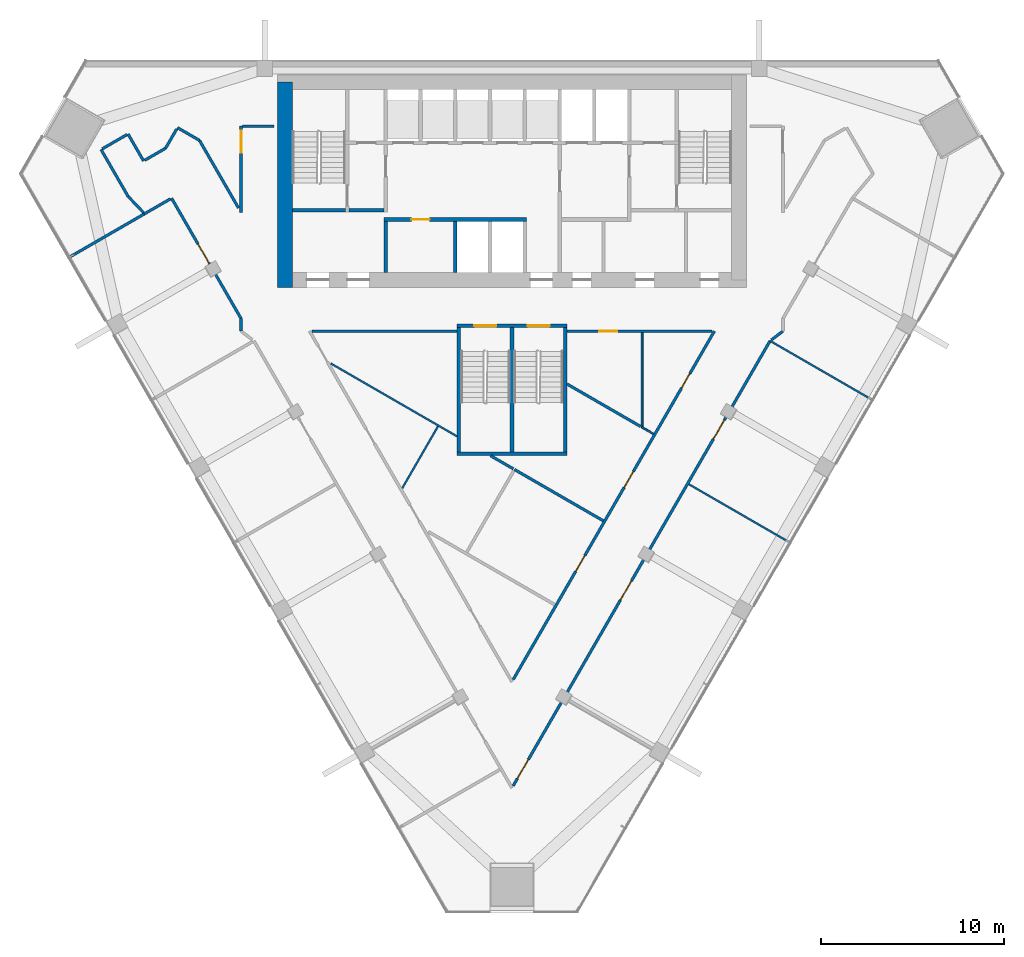
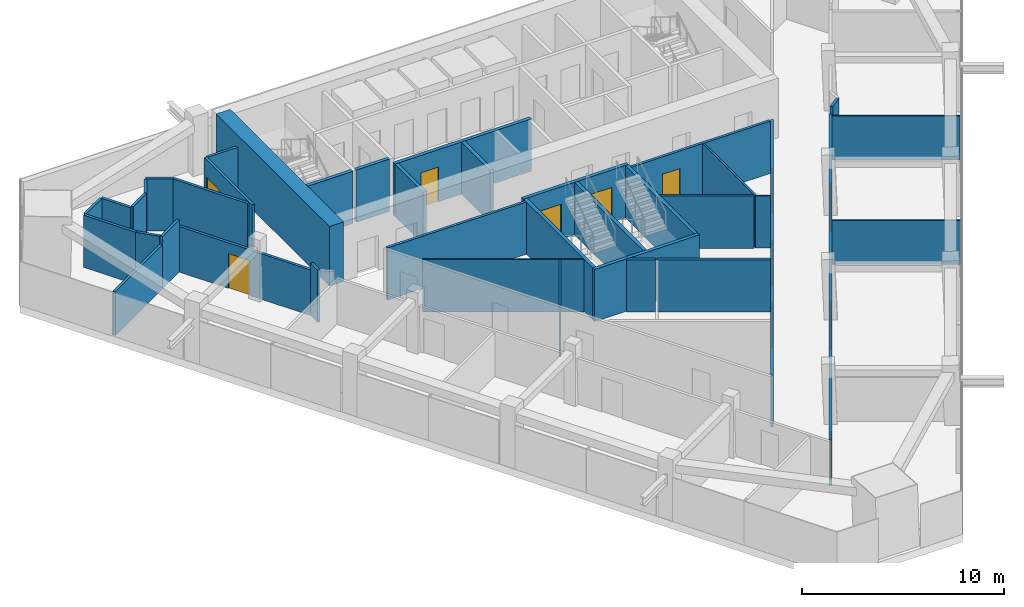
# One storey, part 9 of 13: 39 walls, 12 doors, 12 openings.
"""IFC4 building model written with IfcOpenShell, lengths in metres."""

from ifc_helpers import new_model, si_unit, direction, frame, frame_2d, origin, place, context, subcontext, project, spatial, rectangle, extrude, material, layer, layer_set, type_object, element, fill, save


model = new_model("IFC4")

# Units and contexts
model_context = context("Model", 3, precision=1e-05, world=origin(), true_north=direction((0.0, 1.0)))
body_context = subcontext(model_context, "Body", "Model", "MODEL_VIEW")
ifc_project = project(units=[si_unit("LENGTHUNIT", "METRE"), si_unit("AREAUNIT", "SQUARE_METRE"), si_unit("VOLUMEUNIT", "CUBIC_METRE"), si_unit("PLANEANGLEUNIT", "RADIAN"), si_unit("MASSUNIT", "GRAM", prefix="KILO")], contexts=[model_context])

# Site, building, storey
site_placement = place(None, origin())
site = spatial("IfcSite", under=ifc_project, at=site_placement, CompositionType="ELEMENT")
building_placement = place(site_placement, origin())
building = spatial("IfcBuilding", under=site, at=building_placement, Name="Altiplano Prism Tower", CompositionType="ELEMENT")
storey_placement = place(building_placement, frame((0.0, 0.0, 160.199951171875)))
storey = spatial("IfcBuildingStorey", under=building, at=storey_placement, Name="L41", CompositionType="ELEMENT", Elevation=160.199951171875)

# Walls
ifc_material_1 = material(Name="Concrete C60/75", Category="concrete")
ifc_layer_1 = layer(ifc_material_1, 0.800048828125)
ifc_layer_set_1 = layer_set([ifc_layer_1], Name="Concrete C60/75")
wall_type_1 = type_object("IfcWallType", Name="Core wall 800", PredefinedType="SHEAR", material=ifc_layer_set_1)
wall_1_placement = place(storey_placement, frame((72.60009765625, 103.800048828125, 0.0), z_axis=(0.0, 0.0, 1.0), x_axis=(0.0, -1.0, 0.0)))
element("IfcWall", 1, at=wall_1_placement, inside=storey, type_object=wall_type_1, Name="Core wall W L41", PredefinedType="SHEAR", context=body_context, shape_type="SweptSolid", body=[
    extrude(rectangle(XDim=11.199951171875, YDim=0.800048828125, at=frame_2d((5.60009765625, 0.0))), origin(), (0.0, 0.0, 1.0), 3.60009765625),
])
ifc_material_2 = material(Name="Plasterboard on steel stud", Category="steel")
ifc_layer_2 = layer(ifc_material_2, 0.10009765625)
ifc_layer_set_2 = layer_set([ifc_layer_2], Name="Plasterboard on steel stud")
wall_type_2 = type_object("IfcWallType", Name="Partition 100 wet", PredefinedType="PARTITIONING", material=ifc_layer_set_2)
wall_2_placement = place(storey_placement, frame((92.1083984375, 90.125, 0.0), z_axis=(0.0, 0.0, 1.0), x_axis=(0.0, -1.0, 0.0)))
element("IfcWall", 2, at=wall_2_placement, inside=storey, type_object=wall_type_2, Name="Partition P03 L41 030", PredefinedType="PARTITIONING", context=body_context, shape_type="SweptSolid", body=[
    extrude(rectangle(XDim=5.179931640625, YDim=0.10009765625, at=frame_2d((2.58984375, 0.0))), origin(), (0.0, 0.0, 1.0), 3.150146484375),
])
wall_3_placement = place(storey_placement, frame((92.08837890625, 84.95654296875, 0.0), z_axis=(0.0, 0.0, 1.0), x_axis=(0.866036909293, -0.499980071345, 0.0)))
element("IfcWall", 3, at=wall_3_placement, inside=storey, type_object=wall_type_2, Name="Partition P03 L41 031", PredefinedType="PARTITIONING", context=body_context, shape_type="SweptSolid", body=[
    extrude(rectangle(XDim=0.73828125, YDim=0.10009765625, at=frame_2d((0.369140625, 0.0))), origin(), (0.0, 0.0, 1.0), 3.150146484375),
])
wall_4_placement = place(storey_placement, frame((79.0087890625, 81.629638671875, 0.0), z_axis=(0.0, 0.0, 1.0), x_axis=(0.500039254499, 0.866002739003, 0.0)))
element("IfcWall", 4, at=wall_4_placement, inside=storey, type_object=wall_type_2, Name="Partition P03 L41 032", PredefinedType="PARTITIONING", context=body_context, shape_type="SweptSolid", body=[
    extrude(rectangle(XDim=3.891357421875, YDim=0.10009765625, at=frame_2d((1.94580078125, 0.0))), origin(), (0.0, 0.0, 1.0), 3.150146484375),
])
wall_5_placement = place(storey_placement, frame((82.0, 84.45361328125, 0.0), z_axis=(0.0, 0.0, 1.0), x_axis=(-0.866017214255, 0.500014184414, 0.0)))
element("IfcWall", 5, at=wall_5_placement, inside=storey, type_object=wall_type_2, Name="Partition P03 L41 033", PredefinedType="PARTITIONING", context=body_context, shape_type="SweptSolid", body=[
    extrude(rectangle(XDim=7.968505859375, YDim=0.10009765625, at=frame_2d((3.984375, 0.0))), origin(), (0.0, 0.0, 1.0), 3.150146484375),
])
wall_6_placement = place(storey_placement, frame((100.140380859375, 78.67626953125, 0.0), z_axis=(0.0, 0.0, 1.0), x_axis=(-0.866042250622, 0.499970819286, 0.0)))
element("IfcWall", 6, at=wall_6_placement, inside=storey, type_object=wall_type_2, Name="Partition P03 L41 045", PredefinedType="PARTITIONING", context=body_context, shape_type="SweptSolid", body=[
    extrude(rectangle(XDim=6.3251953125, YDim=0.10009765625, at=frame_2d((3.16259765625, 0.0))), origin(), (0.0, 0.0, 1.0), 2.650146484375),
])
wall_7_placement = place(storey_placement, frame((104.640380859375, 86.470458984375, 0.0), z_axis=(0.0, 0.0, 1.0), x_axis=(-0.866035036182, 0.499983315828, 0.0)))
element("IfcWall", 7, at=wall_7_placement, inside=storey, type_object=wall_type_2, Name="Partition P03 L41 046", PredefinedType="PARTITIONING", context=body_context, shape_type="SweptSolid", body=[
    extrude(rectangle(XDim=6.400146484375, YDim=0.10009765625, at=frame_2d((3.2001953125, 0.0))), origin(), (0.0, 0.0, 1.0), 2.650146484375),
])

# Wall, openings, doors
ifc_layer_3 = layer(ifc_material_2, 0.14990234375)
ifc_layer_set_3 = layer_set([ifc_layer_3], Name="Plasterboard on steel stud")
wall_type_3 = type_object("IfcWallType", Name="Partition 150 corridor", PredefinedType="PARTITIONING", material=ifc_layer_set_3)
wall_8_placement = place(storey_placement, frame((96.054931640625, 90.199951171875, 0.0), z_axis=(0.0, 0.0, 1.0), x_axis=(-0.500001284673, -0.866024662077, 0.0)))
wall_8 = element("IfcWall", 8, at=wall_8_placement, inside=storey, type_object=wall_type_3, Name="Partition P06 L41 001", PredefinedType="PARTITIONING", context=body_context, shape_type="SweptSolid", body=[
    extrude(rectangle(XDim=21.97998046875, YDim=0.14990234375, at=frame_2d((10.989990234375, 0.0))), origin(), (0.0, 0.0, 1.0), 3.150146484375),
])
opening_1_placement = place(wall_8_placement, frame((2.68408203125, 0.0, 0.0)))
opening_1 = element("IfcOpeningElement", 9, at=opening_1_placement, cuts=wall_8, Name="Opening D1455", PredefinedType="OPENING", context=body_context, shape_type="SweptSolid", body=[
    extrude(rectangle(XDim=0.89990234375, YDim=2.10009765625, at=frame_2d((0.449951171875, 1.050048828125))), frame((0.0, 0.08544921875, 0.0), z_axis=(0.0, -1.0, 0.0), x_axis=(1.0, 0.0, 0.0)), (0.0, 0.0, 1.0), 0.1708984375),
])
opening_2_placement = place(wall_8_placement, frame((8.85302734375, 0.0, 0.0)))
opening_2 = element("IfcOpeningElement", 10, at=opening_2_placement, cuts=wall_8, Name="Opening D1460", PredefinedType="OPENING", context=body_context, shape_type="SweptSolid", body=[
    extrude(rectangle(XDim=1.0, YDim=2.10009765625, at=frame_2d((0.5, 1.050048828125))), frame((0.0, 0.08544921875, 0.0), z_axis=(0.0, -1.0, 0.0), x_axis=(1.0, 0.0, 0.0)), (0.0, 0.0, 1.0), 0.1708984375),
])
opening_3_placement = place(wall_8_placement, frame((14.152099609375, 0.0, 0.0)))
opening_3 = element("IfcOpeningElement", 11, at=opening_3_placement, cuts=wall_8, Name="Opening D1471", PredefinedType="OPENING", context=body_context, shape_type="SweptSolid", body=[
    extrude(rectangle(XDim=1.0, YDim=2.10009765625, at=frame_2d((0.5, 1.050048828125))), frame((0.0, 0.08544921875, 0.0), z_axis=(0.0, -1.0, 0.0), x_axis=(1.0, 0.0, 0.0)), (0.0, 0.0, 1.0), 0.1708984375),
])
ifc_material_3 = material(Name="Timber", Category="wood")
door_type_1 = type_object("IfcDoorType", Name="Room door 1000 x 2100", OperationType="NOTDEFINED", PredefinedType="NOTDEFINED", material=ifc_material_3)
door_1_placement = place(opening_3_placement, origin())
door_1 = element("IfcDoor", 12, at=door_1_placement, inside=storey, type_object=door_type_1, Name="Door D1471", OperationType="SINGLE_SWING_RIGHT", OverallHeight=2.10009765625, OverallWidth=1.0, PredefinedType="NOTDEFINED", context=body_context, shape_type="SweptSolid", body=[
    extrude(rectangle(XDim=1.0, YDim=2.10009765625, at=frame_2d((0.5, 1.050048828125))), frame((0.0, 0.02490234375, 0.0), z_axis=(0.0, -1.0, 0.0), x_axis=(1.0, 0.0, 0.0)), (0.0, 0.0, 1.0), 0.050048828125),
])
fill(opening_3, door_1)
door_type_2 = type_object("IfcDoorType", Name="Store door 1000 x 2100", OperationType="NOTDEFINED", PredefinedType="NOTDEFINED", material=ifc_material_3)
door_2_placement = place(opening_2_placement, origin())
door_2 = element("IfcDoor", 13, at=door_2_placement, inside=storey, type_object=door_type_2, Name="Door D1460", OperationType="SINGLE_SWING_LEFT", OverallHeight=2.10009765625, OverallWidth=1.0, PredefinedType="NOTDEFINED", context=body_context, shape_type="SweptSolid", body=[
    extrude(rectangle(XDim=1.0, YDim=2.10009765625, at=frame_2d((0.5, 1.050048828125))), frame((0.0, 0.02490234375, 0.0), z_axis=(0.0, -1.0, 0.0), x_axis=(1.0, 0.0, 0.0)), (0.0, 0.0, 1.0), 0.050048828125),
])
fill(opening_2, door_2)
door_type_3 = type_object("IfcDoorType", Name="Toilet door 900 x 2100", OperationType="NOTDEFINED", PredefinedType="NOTDEFINED", material=ifc_material_3)
door_3_placement = place(opening_1_placement, origin())
door_3 = element("IfcDoor", 14, at=door_3_placement, inside=storey, type_object=door_type_3, Name="Door D1455", OperationType="SINGLE_SWING_RIGHT", OverallHeight=2.10009765625, OverallWidth=0.89990234375, PredefinedType="NOTDEFINED", context=body_context, shape_type="SweptSolid", body=[
    extrude(rectangle(XDim=0.89990234375, YDim=2.10009765625, at=frame_2d((0.449951171875, 1.050048828125))), frame((0.0, 0.02490234375, 0.0), z_axis=(0.0, -1.0, 0.0), x_axis=(1.0, 0.0, 0.0)), (0.0, 0.0, 1.0), 0.050048828125),
])
fill(opening_1, door_3)

# Wall, opening, door
wall_9_placement = place(storey_placement, frame((88.0, 90.199951171875, 0.0), z_axis=(0.0, 0.0, 1.0), x_axis=(1.0, 0.0, 0.0)))
wall_9 = element("IfcWall", 15, at=wall_9_placement, inside=storey, type_object=wall_type_3, Name="Partition P06 L41 002", PredefinedType="PARTITIONING", context=body_context, shape_type="SweptSolid", body=[
    extrude(rectangle(XDim=7.925048828125, YDim=0.14990234375, at=frame_2d((3.96240234375, 0.0))), origin(), (0.0, 0.0, 1.0), 3.150146484375),
])
opening_4_placement = place(wall_9_placement, frame((1.75390625, 0.0, 0.0)))
opening_4 = element("IfcOpeningElement", 16, at=opening_4_placement, cuts=wall_9, Name="Opening D1457", PredefinedType="OPENING", context=body_context, shape_type="SweptSolid", body=[
    extrude(rectangle(XDim=1.0, YDim=2.10009765625, at=frame_2d((0.5, 1.050048828125))), frame((0.0, 0.08544921875, 0.0), z_axis=(0.0, -1.0, 0.0), x_axis=(1.0, 0.0, 0.0)), (0.0, 0.0, 1.0), 0.1708984375),
])
door_4_placement = place(opening_4_placement, origin())
door_4 = element("IfcDoor", 17, at=door_4_placement, inside=storey, type_object=door_type_2, Name="Door D1457", OperationType="SINGLE_SWING_LEFT", OverallHeight=2.10009765625, OverallWidth=1.0, PredefinedType="NOTDEFINED", context=body_context, shape_type="SweptSolid", body=[
    extrude(rectangle(XDim=1.0, YDim=2.10009765625, at=frame_2d((0.5, 1.050048828125))), frame((0.0, 0.02490234375, 0.0), z_axis=(0.0, -1.0, 0.0), x_axis=(1.0, 0.0, 0.0)), (0.0, 0.0, 1.0), 0.050048828125),
])
fill(opening_4, door_4)

# Wall
wall_10_placement = place(storey_placement, frame((64.912109375, 96.6044921875, 0.0), z_axis=(0.0, 0.0, 1.0), x_axis=(0.866062072556, 0.499936482445, 0.0)))
element("IfcWall", 18, at=wall_10_placement, inside=storey, type_object=wall_type_3, Name="Partition P06 L41 004", PredefinedType="PARTITIONING", context=body_context, shape_type="SweptSolid", body=[
    extrude(rectangle(XDim=1.645751953125, YDim=0.14990234375, at=frame_2d((0.82275390625, 0.0))), origin(), (0.0, 0.0, 1.0), 3.150146484375),
])

# Wall, opening, door
wall_11_placement = place(storey_placement, frame((66.40234375, 97.464599609375, 0.0), z_axis=(0.0, 0.0, 1.0), x_axis=(0.499986781806, -0.866033035178, 0.0)))
wall_11 = element("IfcWall", 19, at=wall_11_placement, inside=storey, type_object=wall_type_3, Name="Partition P06 L41 005", PredefinedType="PARTITIONING", context=body_context, shape_type="SweptSolid", body=[
    extrude(rectangle(XDim=7.595458984375, YDim=0.14990234375, at=frame_2d((3.7978515625, 0.0))), origin(), (0.0, 0.0, 1.0), 2.75),
])
opening_5_placement = place(wall_11_placement, frame((2.884033203125, 0.0, 0.0)))
opening_5 = element("IfcOpeningElement", 20, at=opening_5_placement, cuts=wall_11, Name="Opening D1461", PredefinedType="OPENING", context=body_context, shape_type="SweptSolid", body=[
    extrude(rectangle(XDim=1.199951171875, YDim=2.10009765625, at=frame_2d((0.60009765625, 1.050048828125))), frame((0.0, 0.08544921875, 0.0), z_axis=(0.0, -1.0, 0.0), x_axis=(1.0, 0.0, 0.0)), (0.0, 0.0, 1.0), 0.1708984375),
])
door_type_4 = type_object("IfcDoorType", Name="Shared room door 1200 x 2100", OperationType="NOTDEFINED", PredefinedType="NOTDEFINED", material=ifc_material_3)
door_5_placement = place(opening_5_placement, origin())
door_5 = element("IfcDoor", 21, at=door_5_placement, inside=storey, type_object=door_type_4, Name="Door D1461", OperationType="SINGLE_SWING_RIGHT", OverallHeight=2.10009765625, OverallWidth=1.199951171875, PredefinedType="NOTDEFINED", context=body_context, shape_type="SweptSolid", body=[
    extrude(rectangle(XDim=1.199951171875, YDim=2.10009765625, at=frame_2d((0.60009765625, 1.050048828125))), frame((0.0, 0.02490234375, 0.0), z_axis=(0.0, -1.0, 0.0), x_axis=(1.0, 0.0, 0.0)), (0.0, 0.0, 1.0), 0.050048828125),
])
fill(opening_5, door_5)

# Wall
wall_12_placement = place(storey_placement, frame((70.199951171875, 90.88671875, 0.0), z_axis=(0.0, 0.0, 1.0), x_axis=(0.0, -1.0, 0.0)))
element("IfcWall", 22, at=wall_12_placement, inside=storey, type_object=wall_type_3, Name="Partition P06 L41 006", PredefinedType="PARTITIONING", context=body_context, shape_type="SweptSolid", body=[
    extrude(rectangle(XDim=0.686767578125, YDim=0.14990234375, at=frame_2d((0.34326171875, 0.0))), origin(), (0.0, 0.0, 1.0), 3.150146484375),
])

# Wall, openings, doors
wall_13_placement = place(storey_placement, frame((85.06494140625, 65.364990234375, 0.0), z_axis=(0.0, 0.0, 1.0), x_axis=(0.499999308111, 0.866025803246, 0.0)))
wall_13 = element("IfcWall", 23, at=wall_13_placement, inside=storey, type_object=wall_type_3, Name="Partition P06 L41 009", PredefinedType="PARTITIONING", context=body_context, shape_type="SweptSolid", body=[
    extrude(rectangle(XDim=28.0654296875, YDim=0.14990234375, at=frame_2d((14.03271484375, 0.0))), origin(), (0.0, 0.0, 1.0), 2.75),
])
opening_6_placement = place(wall_13_placement, frame((0.4599609375, 0.0, 0.0)))
opening_6 = element("IfcOpeningElement", 24, at=opening_6_placement, cuts=wall_13, Name="Opening D1465", PredefinedType="OPENING", context=body_context, shape_type="SweptSolid", body=[
    extrude(rectangle(XDim=1.199951171875, YDim=2.10009765625, at=frame_2d((0.60009765625, 1.050048828125))), frame((0.0, 0.08544921875, 0.0), z_axis=(0.0, -1.0, 0.0), x_axis=(1.0, 0.0, 0.0)), (0.0, 0.0, 1.0), 0.1708984375),
])
opening_7_placement = place(wall_13_placement, frame((11.716064453125, 0.0, 0.0)))
opening_7 = element("IfcOpeningElement", 25, at=opening_7_placement, cuts=wall_13, Name="Opening D1466", PredefinedType="OPENING", context=body_context, shape_type="SweptSolid", body=[
    extrude(rectangle(XDim=1.199951171875, YDim=2.10009765625, at=frame_2d((0.60009765625, 1.050048828125))), frame((0.0, 0.08544921875, 0.0), z_axis=(0.0, -1.0, 0.0), x_axis=(1.0, 0.0, 0.0)), (0.0, 0.0, 1.0), 0.1708984375),
])
opening_8_placement = place(wall_13_placement, frame((21.865966796875, 0.0, 0.0)))
opening_8 = element("IfcOpeningElement", 26, at=opening_8_placement, cuts=wall_13, Name="Opening D1467", PredefinedType="OPENING", context=body_context, shape_type="SweptSolid", body=[
    extrude(rectangle(XDim=1.199951171875, YDim=2.10009765625, at=frame_2d((0.60009765625, 1.050048828125))), frame((0.0, 0.08544921875, 0.0), z_axis=(0.0, -1.0, 0.0), x_axis=(1.0, 0.0, 0.0)), (0.0, 0.0, 1.0), 0.1708984375),
])
door_6_placement = place(opening_6_placement, origin())
door_6 = element("IfcDoor", 27, at=door_6_placement, inside=storey, type_object=door_type_4, Name="Door D1465", OperationType="SINGLE_SWING_LEFT", OverallHeight=2.10009765625, OverallWidth=1.199951171875, PredefinedType="NOTDEFINED", context=body_context, shape_type="SweptSolid", body=[
    extrude(rectangle(XDim=1.199951171875, YDim=2.10009765625, at=frame_2d((0.60009765625, 1.050048828125))), frame((0.0, 0.02490234375, 0.0), z_axis=(0.0, -1.0, 0.0), x_axis=(1.0, 0.0, 0.0)), (0.0, 0.0, 1.0), 0.050048828125),
])
fill(opening_6, door_6)
door_7_placement = place(opening_7_placement, origin())
door_7 = element("IfcDoor", 28, at=door_7_placement, inside=storey, type_object=door_type_4, Name="Door D1466", OperationType="SINGLE_SWING_RIGHT", OverallHeight=2.10009765625, OverallWidth=1.199951171875, PredefinedType="NOTDEFINED", context=body_context, shape_type="SweptSolid", body=[
    extrude(rectangle(XDim=1.199951171875, YDim=2.10009765625, at=frame_2d((0.60009765625, 1.050048828125))), frame((0.0, 0.02490234375, 0.0), z_axis=(0.0, -1.0, 0.0), x_axis=(1.0, 0.0, 0.0)), (0.0, 0.0, 1.0), 0.050048828125),
])
fill(opening_7, door_7)
door_8_placement = place(opening_8_placement, origin())
door_8 = element("IfcDoor", 29, at=door_8_placement, inside=storey, type_object=door_type_4, Name="Door D1467", OperationType="SINGLE_SWING_LEFT", OverallHeight=2.10009765625, OverallWidth=1.199951171875, PredefinedType="NOTDEFINED", context=body_context, shape_type="SweptSolid", body=[
    extrude(rectangle(XDim=1.199951171875, YDim=2.10009765625, at=frame_2d((0.60009765625, 1.050048828125))), frame((0.0, 0.02490234375, 0.0), z_axis=(0.0, -1.0, 0.0), x_axis=(1.0, 0.0, 0.0)), (0.0, 0.0, 1.0), 0.050048828125),
])
fill(opening_8, door_8)

# Walls
wall_14_placement = place(storey_placement, frame((99.16650390625, 89.72216796875, 0.0), z_axis=(0.0, 0.0, 1.0), x_axis=(0.798409610455, 0.602114685033, 0.0)))
element("IfcWall", 30, at=wall_14_placement, inside=storey, type_object=wall_type_3, Name="Partition P06 L41 010", PredefinedType="PARTITIONING", context=body_context, shape_type="SweptSolid", body=[
    extrude(rectangle(XDim=0.79345703125, YDim=0.14990234375, at=frame_2d((0.396728515625, 0.0))), origin(), (0.0, 0.0, 1.0), 3.150146484375),
])
wall_15_placement = place(storey_placement, frame((72.0, 101.39990234375, 0.0), z_axis=(0.0, 0.0, 1.0), x_axis=(-1.0, 0.0, 0.0)))
element("IfcWall", 31, at=wall_15_placement, inside=storey, type_object=wall_type_3, Name="Partition P06 L41 019", PredefinedType="PARTITIONING", context=body_context, shape_type="SweptSolid", body=[
    extrude(rectangle(XDim=1.72509765625, YDim=0.14990234375, at=frame_2d((0.862548828125, 0.0))), origin(), (0.0, 0.0, 1.0), 3.150146484375),
])

# Wall, opening, door
wall_16_placement = place(storey_placement, frame((70.199951171875, 101.39990234375, 0.0), z_axis=(0.0, 0.0, 1.0), x_axis=(0.0, -1.0, 0.0)))
wall_16 = element("IfcWall", 32, at=wall_16_placement, inside=storey, type_object=wall_type_3, Name="Partition P06 L41 020", PredefinedType="PARTITIONING", context=body_context, shape_type="SweptSolid", body=[
    extrude(rectangle(XDim=4.713134765625, YDim=0.14990234375, at=frame_2d((2.3564453125, 0.0))), origin(), (0.0, 0.0, 1.0), 3.150146484375),
])
opening_9_placement = place(wall_16_placement, frame((0.2470703125, 0.0, 0.0)))
opening_9 = element("IfcOpeningElement", 33, at=opening_9_placement, cuts=wall_16, Name="Opening D1470", PredefinedType="OPENING", context=body_context, shape_type="SweptSolid", body=[
    extrude(rectangle(XDim=1.199951171875, YDim=2.10009765625, at=frame_2d((0.60009765625, 1.050048828125))), frame((0.0, 0.08544921875, 0.0), z_axis=(0.0, -1.0, 0.0), x_axis=(1.0, 0.0, 0.0)), (0.0, 0.0, 1.0), 0.1708984375),
])
door_9_placement = place(opening_9_placement, origin())
door_9 = element("IfcDoor", 34, at=door_9_placement, inside=storey, type_object=door_type_4, Name="Door D1470", OperationType="SINGLE_SWING_RIGHT", OverallHeight=2.10009765625, OverallWidth=1.199951171875, PredefinedType="NOTDEFINED", context=body_context, shape_type="SweptSolid", body=[
    extrude(rectangle(XDim=1.199951171875, YDim=2.10009765625, at=frame_2d((0.60009765625, 1.050048828125))), frame((0.0, 0.02490234375, 0.0), z_axis=(0.0, -1.0, 0.0), x_axis=(1.0, 0.0, 0.0)), (0.0, 0.0, 1.0), 0.050048828125),
])
fill(opening_9, door_9)

# Walls
wall_17_placement = place(storey_placement, frame((70.06005859375, 96.92919921875, 0.0), z_axis=(0.0, 0.0, 1.0), x_axis=(-0.499986710104, 0.866033076574, 0.0)))
element("IfcWall", 35, at=wall_17_placement, inside=storey, type_object=wall_type_3, Name="Partition P06 L41 021", PredefinedType="PARTITIONING", context=body_context, shape_type="SweptSolid", body=[
    extrude(rectangle(XDim=4.26513671875, YDim=0.14990234375, at=frame_2d((2.132568359375, 0.0))), origin(), (0.0, 0.0, 1.0), 3.150146484375),
])
wall_18_placement = place(storey_placement, frame((67.927490234375, 100.623046875, 0.0), z_axis=(0.0, 0.0, 1.0), x_axis=(-0.866039262737, 0.499975994823, 0.0)))
element("IfcWall", 36, at=wall_18_placement, inside=storey, type_object=wall_type_3, Name="Partition P06 L41 022", PredefinedType="PARTITIONING", context=body_context, shape_type="SweptSolid", body=[
    extrude(rectangle(XDim=1.38916015625, YDim=0.14990234375, at=frame_2d((0.694580078125, 0.0))), origin(), (0.0, 0.0, 1.0), 3.150146484375),
])
wall_19_placement = place(storey_placement, frame((66.686767578125, 101.252685546875, 0.0), z_axis=(0.0, 0.0, 1.0), x_axis=(-0.499854991488, -0.866109108303, 0.0)))
element("IfcWall", 37, at=wall_19_placement, inside=storey, type_object=wall_type_3, Name="Partition P06 L41 023", PredefinedType="PARTITIONING", context=body_context, shape_type="SweptSolid", body=[
    extrude(rectangle(XDim=1.222412109375, YDim=0.14990234375, at=frame_2d((0.611328125, 0.0))), origin(), (0.0, 0.0, 1.0), 3.150146484375),
])
wall_20_placement = place(storey_placement, frame((66.07568359375, 100.19384765625, 0.0), z_axis=(0.0, 0.0, 1.0), x_axis=(-0.866083395476, -0.499899541988, 0.0)))
element("IfcWall", 38, at=wall_20_placement, inside=storey, type_object=wall_type_3, Name="Partition P06 L41 024", PredefinedType="PARTITIONING", context=body_context, shape_type="SweptSolid", body=[
    extrude(rectangle(XDim=1.312744140625, YDim=0.14990234375, at=frame_2d((0.65625, 0.0))), origin(), (0.0, 0.0, 1.0), 3.150146484375),
])
wall_21_placement = place(storey_placement, frame((64.873779296875, 99.5, 0.0), z_axis=(0.0, 0.0, 1.0), x_axis=(-0.500062241894, 0.865989465428, 0.0)))
element("IfcWall", 39, at=wall_21_placement, inside=storey, type_object=wall_type_3, Name="Partition P06 L41 025", PredefinedType="PARTITIONING", context=body_context, shape_type="SweptSolid", body=[
    extrude(rectangle(XDim=1.699951171875, YDim=0.14990234375, at=frame_2d((0.85009765625, 0.0))), origin(), (0.0, 0.0, 1.0), 3.150146484375),
])
wall_22_placement = place(storey_placement, frame((63.958740234375, 100.934814453125, 0.0), z_axis=(0.0, 0.0, 1.0), x_axis=(-0.865975732936, -0.500086022567, 0.0)))
element("IfcWall", 40, at=wall_22_placement, inside=storey, type_object=wall_type_3, Name="Partition P06 L41 026", PredefinedType="PARTITIONING", context=body_context, shape_type="SweptSolid", body=[
    extrude(rectangle(XDim=1.550048828125, YDim=0.14990234375, at=frame_2d((0.77490234375, 0.0))), origin(), (0.0, 0.0, 1.0), 3.150146484375),
])
wall_23_placement = place(storey_placement, frame((62.551513671875, 100.122314453125, 0.0), z_axis=(0.0, 0.0, 1.0), x_axis=(0.499948788009, -0.866054969022, 0.0)))
element("IfcWall", 41, at=wall_23_placement, inside=storey, type_object=wall_type_3, Name="Partition P06 L41 027", PredefinedType="PARTITIONING", context=body_context, shape_type="SweptSolid", body=[
    extrude(rectangle(XDim=2.956787109375, YDim=0.14990234375, at=frame_2d((1.478515625, 0.0))), origin(), (0.0, 0.0, 1.0), 3.150146484375),
])
wall_24_placement = place(storey_placement, frame((64.02978515625, 97.5615234375, 0.0), z_axis=(0.0, 0.0, 1.0), x_axis=(0.689000047117, -0.724761295237, 0.0)))
element("IfcWall", 42, at=wall_24_placement, inside=storey, type_object=wall_type_3, Name="Partition P06 L41 028", PredefinedType="PARTITIONING", context=body_context, shape_type="SweptSolid", body=[
    extrude(rectangle(XDim=1.228759765625, YDim=0.14990234375, at=frame_2d((0.6142578125, 0.0))), origin(), (0.0, 0.0, 1.0), 3.150146484375),
])
wall_25_placement = place(storey_placement, frame((74.074951171875, 90.199951171875, 0.0), z_axis=(0.0, 0.0, 1.0), x_axis=(1.0, 0.0, 0.0)))
element("IfcWall", 43, at=wall_25_placement, inside=storey, type_object=wall_type_3, Name="Partition P06 L41 029", PredefinedType="PARTITIONING", context=body_context, shape_type="SweptSolid", body=[
    extrude(rectangle(XDim=7.925048828125, YDim=0.14990234375, at=frame_2d((3.96240234375, 0.0))), origin(), (0.0, 0.0, 1.0), 3.150146484375),
])
ifc_layer_4 = layer(ifc_material_2, 0.14990234375)
ifc_layer_set_4 = layer_set([ifc_layer_4], Name="Plasterboard on steel stud")
wall_type_4 = type_object("IfcWallType", Name="Partition 150 party", PredefinedType="PARTITIONING", material=ifc_layer_set_4)
wall_26_placement = place(storey_placement, frame((88.0, 87.317138671875, 0.0), z_axis=(0.0, 0.0, 1.0), x_axis=(0.866024468756, -0.500001619514, 0.0)))
element("IfcWall", 44, at=wall_26_placement, inside=storey, type_object=wall_type_4, Name="Partition P01 L41 034", PredefinedType="PARTITIONING", context=body_context, shape_type="SweptSolid", body=[
    extrude(rectangle(XDim=4.64306640625, YDim=0.14990234375, at=frame_2d((2.321533203125, 0.0))), origin(), (0.0, 0.0, 1.0), 3.150146484375),
])
wall_27_placement = place(storey_placement, frame((85.072265625, 82.679931640625, 0.0), z_axis=(0.0, 0.0, 1.0), x_axis=(-0.866075499611, 0.499913221443, 0.0)))
element("IfcWall", 45, at=wall_27_placement, inside=storey, type_object=wall_type_4, Name="Partition P01 L41 036", PredefinedType="PARTITIONING", context=body_context, shape_type="SweptSolid", body=[
    extrude(rectangle(XDim=1.440185546875, YDim=0.14990234375, at=frame_2d((0.72021484375, 0.0))), origin(), (0.0, 0.0, 1.0), 3.150146484375),
])
wall_28_placement = place(storey_placement, frame((85.13720703125, 82.642333984375, 0.0), z_axis=(0.0, 0.0, 1.0), x_axis=(0.866032434152, -0.499987822848, 0.0)))
element("IfcWall", 46, at=wall_28_placement, inside=storey, type_object=wall_type_4, Name="Partition P01 L41 038", PredefinedType="PARTITIONING", context=body_context, shape_type="SweptSolid", body=[
    extrude(rectangle(XDim=5.601318359375, YDim=0.14990234375, at=frame_2d((2.80078125, 0.0))), origin(), (0.0, 0.0, 1.0), 3.150146484375),
])
wall_29_placement = place(storey_placement, frame((64.929931640625, 96.61474609375, 0.0), z_axis=(0.0, 0.0, 1.0), x_axis=(-0.866016039709, -0.500016218704, 0.0)))
element("IfcWall", 47, at=wall_29_placement, inside=storey, type_object=wall_type_4, Name="Partition P01 L41 040", PredefinedType="PARTITIONING", context=body_context, shape_type="SweptSolid", body=[
    extrude(rectangle(XDim=4.699951171875, YDim=0.14990234375, at=frame_2d((2.35009765625, 0.0))), origin(), (0.0, 0.0, 1.0), 2.650146484375),
])
ifc_layer_5 = layer(ifc_material_1, 0.199951171875)
ifc_layer_set_5 = layer_set([ifc_layer_5], Name="Concrete C60/75")
wall_type_5 = type_object("IfcWallType", Name="Shaft wall 200", PredefinedType="SOLIDWALL", material=ifc_layer_set_5)
wall_30_placement = place(storey_placement, frame((81.89990234375, 93.39990234375, 0.0), z_axis=(0.0, 0.0, 1.0), x_axis=(0.0, 1.0, 0.0)))
element("IfcWall", 48, at=wall_30_placement, inside=storey, type_object=wall_type_5, Name="Shaft wall L41", PredefinedType="SOLIDWALL", context=body_context, shape_type="SweptSolid", body=[
    extrude(rectangle(XDim=2.800048828125, YDim=0.199951171875, at=frame_2d((1.39990234375, 0.0))), origin(), (0.0, 0.0, 1.0), 3.150146484375),
])

# Wall, opening, door
wall_31_placement = place(storey_placement, frame((78.0, 96.300048828125, 0.0), z_axis=(0.0, 0.0, 1.0), x_axis=(1.0, 0.0, 0.0)))
wall_31 = element("IfcWall", 49, at=wall_31_placement, inside=storey, type_object=wall_type_5, Name="Shaft wall L41", PredefinedType="SOLIDWALL", context=body_context, shape_type="SweptSolid", body=[
    extrude(rectangle(XDim=7.800048828125, YDim=0.199951171875, at=frame_2d((3.89990234375, 0.0))), origin(), (0.0, 0.0, 1.0), 3.150146484375),
])
opening_10_placement = place(wall_31_placement, frame((1.5, 0.0, 0.0)))
opening_10 = element("IfcOpeningElement", 50, at=opening_10_placement, cuts=wall_31, Name="Opening D3153", PredefinedType="OPENING", context=body_context, shape_type="SweptSolid", body=[
    extrude(rectangle(XDim=1.0, YDim=2.10009765625, at=frame_2d((0.5, 1.050048828125))), frame((0.0, 0.1103515625, 0.0), z_axis=(0.0, -1.0, 0.0), x_axis=(1.0, 0.0, 0.0)), (0.0, 0.0, 1.0), 0.220947265625),
])
ifc_material_4 = material(Name="Fire-rated steel door", Category="steel")
door_type_5 = type_object("IfcDoorType", Name="Core room door 1000 x 2100", OperationType="NOTDEFINED", PredefinedType="NOTDEFINED", material=ifc_material_4)
door_10_placement = place(opening_10_placement, origin())
door_10 = element("IfcDoor", 51, at=door_10_placement, inside=storey, type_object=door_type_5, Name="Core room door D3153", OperationType="SINGLE_SWING_RIGHT", OverallHeight=2.10009765625, OverallWidth=1.0, PredefinedType="NOTDEFINED", context=body_context, shape_type="SweptSolid", body=[
    extrude(rectangle(XDim=1.0, YDim=2.10009765625, at=frame_2d((0.5, 1.050048828125))), frame((0.0, 0.02490234375, 0.0), z_axis=(0.0, -1.0, 0.0), x_axis=(1.0, 0.0, 0.0)), (0.0, 0.0, 1.0), 0.050048828125),
])
fill(opening_10, door_10)

# Wall
ifc_layer_6 = layer(ifc_material_1, 0.199951171875)
ifc_layer_set_6 = layer_set([ifc_layer_6], Name="Concrete C60/75")
wall_type_6 = type_object("IfcWallType", Name="Stair wall 200", PredefinedType="SOLIDWALL", material=ifc_layer_set_6)
wall_32_placement = place(storey_placement, frame((73.0, 96.800048828125, 0.0), z_axis=(0.0, 0.0, 1.0), x_axis=(1.0, 0.0, 0.0)))
element("IfcWall", 52, at=wall_32_placement, inside=storey, type_object=wall_type_6, Name="Stair wall L41", PredefinedType="SOLIDWALL", context=body_context, shape_type="SweptSolid", body=[
    extrude(rectangle(XDim=2.89990234375, YDim=0.199951171875, at=frame_2d((1.449951171875, 0.0))), origin(), (0.0, 0.0, 1.0), 3.150146484375),
])

# Wall, openings, doors
wall_33_placement = place(storey_placement, frame((82.0, 90.5, 0.0), z_axis=(0.0, 0.0, 1.0), x_axis=(1.0, 0.0, 0.0)))
wall_33 = element("IfcWall", 53, at=wall_33_placement, inside=storey, type_object=wall_type_6, Name="Stair 3 wall north L41", PredefinedType="SOLIDWALL", context=body_context, shape_type="SweptSolid", body=[
    extrude(rectangle(XDim=6.0, YDim=0.199951171875, at=frame_2d((3.0, 0.0))), origin(), (0.0, 0.0, 1.0), 3.150146484375),
])
opening_11_placement = place(wall_33_placement, frame((0.949951171875, 0.0, 0.0)))
opening_11 = element("IfcOpeningElement", 54, at=opening_11_placement, cuts=wall_33, Name="Opening D4004", PredefinedType="OPENING", context=body_context, shape_type="SweptSolid", body=[
    extrude(rectangle(XDim=1.199951171875, YDim=2.10009765625, at=frame_2d((0.60009765625, 1.050048828125))), frame((0.0, 0.1103515625, 0.0), z_axis=(0.0, -1.0, 0.0), x_axis=(1.0, 0.0, 0.0)), (0.0, 0.0, 1.0), 0.220947265625),
])
opening_12_placement = place(wall_33_placement, frame((3.85009765625, 0.0, 0.0)))
opening_12 = element("IfcOpeningElement", 55, at=opening_12_placement, cuts=wall_33, Name="Opening D4005", PredefinedType="OPENING", context=body_context, shape_type="SweptSolid", body=[
    extrude(rectangle(XDim=1.199951171875, YDim=2.10009765625, at=frame_2d((0.60009765625, 1.050048828125))), frame((0.0, 0.1103515625, 0.0), z_axis=(0.0, -1.0, 0.0), x_axis=(1.0, 0.0, 0.0)), (0.0, 0.0, 1.0), 0.220947265625),
])
door_type_6 = type_object("IfcDoorType", Name="Stair fire door 1200 x 2100", OperationType="NOTDEFINED", PredefinedType="NOTDEFINED", material=ifc_material_4)
door_11_placement = place(opening_11_placement, origin())
door_11 = element("IfcDoor", 56, at=door_11_placement, inside=storey, type_object=door_type_6, Name="Stair fire door D4004", OperationType="SINGLE_SWING_LEFT", OverallHeight=2.10009765625, OverallWidth=1.199951171875, PredefinedType="NOTDEFINED", context=body_context, shape_type="SweptSolid", body=[
    extrude(rectangle(XDim=1.199951171875, YDim=2.10009765625, at=frame_2d((0.60009765625, 1.050048828125))), frame((0.0, 0.02490234375, 0.0), z_axis=(0.0, -1.0, 0.0), x_axis=(1.0, 0.0, 0.0)), (0.0, 0.0, 1.0), 0.050048828125),
])
fill(opening_11, door_11)
door_12_placement = place(opening_12_placement, origin())
door_12 = element("IfcDoor", 57, at=door_12_placement, inside=storey, type_object=door_type_6, Name="Stair fire door D4005", OperationType="SINGLE_SWING_LEFT", OverallHeight=2.10009765625, OverallWidth=1.199951171875, PredefinedType="NOTDEFINED", context=body_context, shape_type="SweptSolid", body=[
    extrude(rectangle(XDim=1.199951171875, YDim=2.10009765625, at=frame_2d((0.60009765625, 1.050048828125))), frame((0.0, 0.02490234375, 0.0), z_axis=(0.0, -1.0, 0.0), x_axis=(1.0, 0.0, 0.0)), (0.0, 0.0, 1.0), 0.050048828125),
])
fill(opening_12, door_12)

# Walls
wall_34_placement = place(storey_placement, frame((82.0, 83.5, 0.0), z_axis=(0.0, 0.0, 1.0), x_axis=(1.0, 0.0, 0.0)))
element("IfcWall", 58, at=wall_34_placement, inside=storey, type_object=wall_type_6, Name="Stair 3 wall south L41", PredefinedType="SOLIDWALL", context=body_context, shape_type="SweptSolid", body=[
    extrude(rectangle(XDim=6.0, YDim=0.199951171875, at=frame_2d((3.0, 0.0))), origin(), (0.0, 0.0, 1.0), 3.150146484375),
])
for number, where, z_axis, x_axis, name in (
    (59, (82.10009765625, 83.60009765625, 0.0), (0.0, 0.0, 1.0), (0.0, 1.0, 0.0), "Stair 3 wall west L41"),
    (60, (87.89990234375, 83.60009765625, 0.0), (0.0, 0.0, 1.0), (0.0, 1.0, 0.0), "Stair 3 wall east L41"),
    (61, (85.0, 83.60009765625, 0.0), (0.0, 0.0, 1.0), (0.0, 1.0, 0.0), "Stair 3 wall divider L41"),
):
    element("IfcWall", number, at=place(storey_placement, frame(where, z_axis=z_axis, x_axis=x_axis)), inside=storey, type_object=wall_type_6, Name=name, PredefinedType="SOLIDWALL", context=body_context, shape_type="SweptSolid", body=[
        extrude(rectangle(XDim=6.7998046875, YDim=0.199951171875, at=frame_2d((3.39990234375, 0.0))), origin(), (0.0, 0.0, 1.0), 3.150146484375),
    ])
ifc_layer_7 = layer(ifc_material_1, 0.199951171875)
ifc_layer_set_7 = layer_set([ifc_layer_7], Name="Concrete C60/75")
wall_type_7 = type_object("IfcWallType", Name="Vestibule wall 200", PredefinedType="PARTITIONING", material=ifc_layer_set_7)
wall_35_placement = place(storey_placement, frame((78.10009765625, 93.39990234375, 0.0), z_axis=(0.0, 0.0, 1.0), x_axis=(0.0, 1.0, 0.0)))
element("IfcWall", 62, at=wall_35_placement, inside=storey, type_object=wall_type_7, Name="Vestibule wall L41", PredefinedType="PARTITIONING", context=body_context, shape_type="SweptSolid", body=[
    extrude(rectangle(XDim=2.800048828125, YDim=0.199951171875, at=frame_2d((1.39990234375, 0.0))), origin(), (0.0, 0.0, 1.0), 3.150146484375),
])
wall_36_placement = place(storey_placement, frame((76.10009765625, 96.800048828125, 0.0), z_axis=(0.0, 0.0, 1.0), x_axis=(1.0, 0.0, 0.0)))
element("IfcWall", 63, at=wall_36_placement, inside=storey, type_object=wall_type_7, Name="Vestibule wall L41", PredefinedType="PARTITIONING", context=body_context, shape_type="SweptSolid", body=[
    extrude(rectangle(XDim=1.89990234375, YDim=0.199951171875, at=frame_2d((0.949951171875, 0.0))), origin(), (0.0, 0.0, 1.0), 3.150146484375),
])

save(model, "model.ifc")
